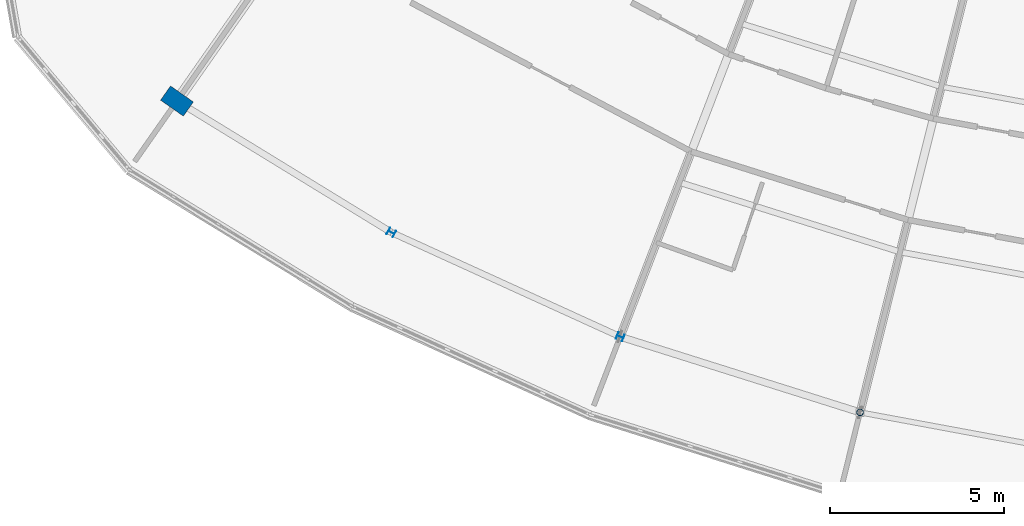
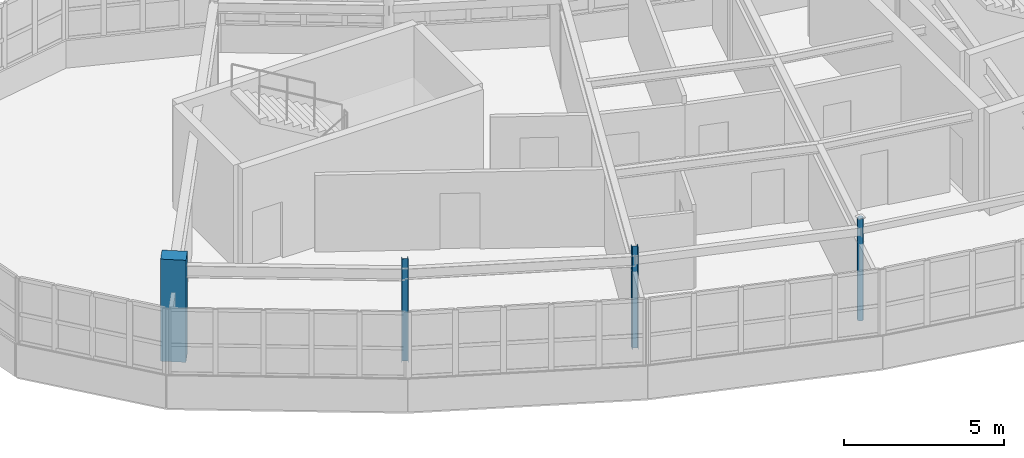
# One storey, part 1 of 79: 4 columns.
"""IFC4 building model written with IfcOpenShell, lengths in metres."""

import ifcopenshell
import ifcopenshell.guid

model = None  # the IFC model being written
_history = None  # IfcOwnerHistory: only IFC2X3 demands one
_inside = {}  # id of a spatial element -> (the spatial element, [elements in it])
_under = {}  # id of a project, library or spatial element -> (it, [spatial elements below it])
_declared = {}  # id of a project -> (the project, [libraries it declares])
_typed = {}  # id of a type object -> (the type object, [elements of that type])
_made_of = {}  # id of a material, layer set ... -> (it, [elements and type objects made of it])


def new_model(schema):
    """Start an empty IFC model of exactly this schema.

    Asked for "IFC4X3", IfcOpenShell would pick the latest addendum, in which some entities
    have other attributes; the version numbers below select the first issue.
    IFC2X3 requires an IfcOwnerHistory on every rooted entity: one is made here for all.
    """
    global model, _history
    if schema == "IFC4X3":
        model = ifcopenshell.file(schema_version=(4, 3, 0, 0))
    else:
        model = ifcopenshell.file(schema=schema)
    _inside.clear()
    _under.clear()
    _declared.clear()
    _typed.clear()
    _made_of.clear()
    _history = None
    if model.schema == "IFC2X3":
        org = make("IfcOrganization", Name="unknown")
        user = make(
            "IfcPersonAndOrganization",
            ThePerson=make("IfcPerson", FamilyName="unknown"),
            TheOrganization=org,
        )
        app = make(
            "IfcApplication",
            ApplicationDeveloper=org,
            Version="unknown",
            ApplicationFullName="unknown",
            ApplicationIdentifier="unknown",
        )
        _history = make(
            "IfcOwnerHistory",
            OwningUser=user,
            OwningApplication=app,
            ChangeAction="ADDED",
            CreationDate=0,
        )
    return model


def make(cls, **values):
    """One entity of the class cls with the attributes given. An attribute that is None is left unset."""
    return model.create_entity(
        cls, **{name: value for name, value in values.items() if value is not None}
    )


def rooted(cls, **values):
    """An entity with a GlobalId (a new one), such as an element, a storey or a relation."""
    return make(cls, GlobalId=ifcopenshell.guid.new(), OwnerHistory=_history, **values)


def si_unit(unit_type, name, prefix=None):
    """IfcSIUnit, for example si_unit("LENGTHUNIT", "METRE", prefix="MILLI")."""
    return make("IfcSIUnit", UnitType=unit_type, Prefix=prefix, Name=name)


def assignment(units):
    """IfcUnitAssignment: the units of a project."""
    return None if units is None else make("IfcUnitAssignment", Units=units)


def point(xyz):
    """IfcCartesianPoint."""
    return None if xyz is None else make("IfcCartesianPoint", Coordinates=xyz)


def direction(xyz):
    """IfcDirection."""
    return None if xyz is None else make("IfcDirection", DirectionRatios=xyz)


def frame(location, z_axis=None, x_axis=None):
    """IfcAxis2Placement3D, a coordinate frame: its origin and axes. An axis left out is left unset."""
    return make(
        "IfcAxis2Placement3D",
        Location=point(location),
        Axis=direction(z_axis),
        RefDirection=direction(x_axis),
    )


def frame_2d(location, x_axis=None):
    """IfcAxis2Placement2D, a coordinate frame in the plane: its origin and x axis."""
    return make(
        "IfcAxis2Placement2D", Location=point(location), RefDirection=direction(x_axis)
    )


def origin():
    """The frame at (0, 0, 0) with its axes left unset."""
    return frame((0.0, 0.0, 0.0))


def origin_2d():
    """The frame at (0, 0) in the plane with its x axis left unset."""
    return frame_2d((0.0, 0.0))


def place(relative_to, where):
    """IfcLocalPlacement: puts the frame where relative to a parent placement (None: the world)."""
    return make(
        "IfcLocalPlacement", PlacementRelTo=relative_to, RelativePlacement=where
    )


def context(
    kind, dimensions, precision=None, world=None, true_north=None, identifier=None
):
    """IfcGeometricRepresentationContext, for example the 3D "Model" context."""
    return make(
        "IfcGeometricRepresentationContext",
        ContextIdentifier=identifier,
        ContextType=kind,
        CoordinateSpaceDimension=dimensions,
        Precision=precision,
        WorldCoordinateSystem=world,
        TrueNorth=true_north,
    )


def subcontext(parent, identifier, kind, view, scale=None):
    """IfcGeometricRepresentationSubContext, for example "Body" below "Model"."""
    return make(
        "IfcGeometricRepresentationSubContext",
        ContextIdentifier=identifier,
        ContextType=kind,
        ParentContext=parent,
        TargetScale=scale,
        TargetView=view,
    )


def project(units=None, contexts=None):
    """IfcProject with its units and contexts."""
    return rooted(
        "IfcProject",
        Name="project",
        RepresentationContexts=contexts,
        UnitsInContext=assignment(units),
    )


def spatial(cls, under=None, at=None, **own):
    """A site, building, storey or space (cls), placed at a placement, below another one or the project."""
    s = rooted(cls, ObjectPlacement=at, **own)
    if under is not None:
        _under.setdefault(under.id(), (under, []))[1].append(s)
    return s


def profile(cls, at=None, kind="AREA", **sizes):
    """A parametric profile (cls). Its sizes go by their IFC names, for example OverallWidth=200.0."""
    return make(cls, ProfileType=kind, Position=at, **sizes)


def rectangle(**sizes):
    """IfcRectangleProfileDef."""
    return profile("IfcRectangleProfileDef", **sizes)


def hollow_circle(**sizes):
    """IfcCircleHollowProfileDef."""
    return profile("IfcCircleHollowProfileDef", **sizes)


def i_section(**sizes):
    """IfcIShapeProfileDef."""
    return profile("IfcIShapeProfileDef", **sizes)


def extrude(swept, where, along, depth):
    """IfcExtrudedAreaSolid: the profile swept, set in the frame where, extruded along a direction by depth."""
    return make(
        "IfcExtrudedAreaSolid",
        SweptArea=swept,
        Position=where,
        ExtrudedDirection=direction(along),
        Depth=depth,
    )


def shape(context_of_items, identifier, shape_type, items):
    """IfcShapeRepresentation: the items that make up one representation, for example the "Body"."""
    return make(
        "IfcShapeRepresentation",
        ContextOfItems=context_of_items,
        RepresentationIdentifier=identifier,
        RepresentationType=shape_type,
        Items=items,
    )


def material(Name=None, Category=None):
    """IfcMaterial."""
    return make("IfcMaterial", Name=Name, Category=Category)


def material_profile(
    of_material, cross_section, Name=None, Category=None, Priority=None
):
    """IfcMaterialProfile: a cross section and its material."""
    return make(
        "IfcMaterialProfile",
        Name=Name,
        Material=of_material,
        Profile=cross_section,
        Priority=Priority,
        Category=Category,
    )


def profile_set(profiles, Name=None, composite=None):
    """IfcMaterialProfileSet."""
    return make(
        "IfcMaterialProfileSet",
        Name=Name,
        MaterialProfiles=profiles,
        CompositeProfile=composite,
    )


def made_of(thing, what):
    """Note that an element or type object is made of a material, layer set ...; save() writes the relation."""
    if what is not None:
        _made_of.setdefault(what.id(), (what, []))[1].append(thing)
    return thing


def type_object(cls, material=None, **own):
    """A type object (cls), such as IfcWallType, which elements share."""
    return made_of(rooted(cls, **own), material)


def element(
    cls,
    number,
    at=None,
    inside=None,
    cuts=None,
    type_object=None,
    material=None,
    context=None,
    identifier="Body",
    shape_type=None,
    held_by="IfcProductDefinitionShape",
    body=None,
    shapes=None,
    **own,
):
    """One element of the class cls, such as IfcWall. Its Tag is "e" and its number.

    at: its placement. inside: the storey or other place that contains it. cuts: it is an
    opening in that element (IfcRelVoidsElement). A single representation is given by context,
    identifier, shape_type and body (its items); several are given by shapes. held_by: the class
    of the entity that holds the representations. save() writes the other relations.
    """
    e = rooted(cls, Tag="e%d" % number, ObjectPlacement=at, **own)
    if body is not None:
        shapes = [shape(context, identifier, shape_type, body)]
    if shapes is not None:
        e.Representation = make(held_by, Representations=shapes)
    if inside is not None:
        _inside.setdefault(inside.id(), (inside, []))[1].append(e)
    if cuts is not None:
        rooted(
            "IfcRelVoidsElement", RelatingBuildingElement=cuts, RelatedOpeningElement=e
        )
    if type_object is not None:
        _typed.setdefault(type_object.id(), (type_object, []))[1].append(e)
    return made_of(e, material)


def aggregate(whole, parts):
    """IfcRelAggregates: a whole, such as a stair, and the parts it consists of."""
    return rooted("IfcRelAggregates", RelatingObject=whole, RelatedObjects=parts)


def save(model, path):
    """Write the relations noted so far, then the file.

    IfcRelAggregates (storeys below a building ...), IfcRelContainedInSpatialStructure (elements
    in a storey), IfcRelDefinesByType, IfcRelAssociatesMaterial and IfcRelDeclares: one each for
    every whole, place, type object, material and project.
    """
    for whole, parts in _under.values():
        aggregate(whole, parts)
    for where, things in _inside.values():
        rooted(
            "IfcRelContainedInSpatialStructure",
            RelatedElements=things,
            RelatingStructure=where,
        )
    for kind, things in _typed.values():
        rooted("IfcRelDefinesByType", RelatedObjects=things, RelatingType=kind)
    for what, things in _made_of.values():
        rooted("IfcRelAssociatesMaterial", RelatedObjects=things, RelatingMaterial=what)
    for by, libraries in _declared.values():
        rooted("IfcRelDeclares", RelatingContext=by, RelatedDefinitions=libraries)
    model.write(path)


model = new_model("IFC4")

# Units and contexts
model_context = context("Model", 3, precision=1e-05, world=origin(), true_north=direction((0.0, 1.0)))
body_context = subcontext(model_context, "Body", "Model", "MODEL_VIEW")
ifc_project = project(units=[si_unit("LENGTHUNIT", "METRE"), si_unit("AREAUNIT", "SQUARE_METRE"), si_unit("VOLUMEUNIT", "CUBIC_METRE"), si_unit("PLANEANGLEUNIT", "RADIAN"), si_unit("MASSUNIT", "GRAM", prefix="KILO")], contexts=[model_context])

# Site, building, storey
site_placement = place(None, origin())
site = spatial("IfcSite", under=ifc_project, at=site_placement, CompositionType="ELEMENT")
building_placement = place(site_placement, origin())
building = spatial("IfcBuilding", under=site, at=building_placement, Name="Tarnwether General Hospital", CompositionType="ELEMENT")
storey_placement = place(building_placement, frame((0.0, 0.0, 18.300048828125)))
storey = spatial("IfcBuildingStorey", under=building, at=storey_placement, Name="L04", CompositionType="ELEMENT", Elevation=18.300048828125)

# Columns
ifc_material_1 = material(Name="Concrete 50 MPa", Category="concrete")
ifc_material_profile_1 = material_profile(ifc_material_1, rectangle(XDim=0.5, YDim=0.800048828125, at=origin_2d()), Name="RC-PIL-500x800")
ifc_profile_set_1 = profile_set([ifc_material_profile_1], Name="Concrete 50 MPa")
column_type_1 = type_object("IfcColumnType", Name="COL-23", PredefinedType="PILASTER", material=ifc_profile_set_1)
column_1_placement = place(storey_placement, frame((58.0439453125, 14.506103515625, 0.0), z_axis=(0.0, 0.0, 1.0), x_axis=(0.573576436351, 0.819152044289, 0.0)))
element("IfcColumn", 1, at=column_1_placement, inside=storey, type_object=column_type_1, Name="Column COLG-L04-5804_1451", PredefinedType="PILASTER", context=body_context, shape_type="SweptSolid", body=[
    extrude(rectangle(XDim=0.5, YDim=0.800048828125, at=origin_2d()), origin(), (0.0, 0.0, 1.0), 3.89990234375),
])
ifc_material_2 = material(Name="Steel Grade 350 (350 MPa)", Category="steel")
ifc_material_profile_2 = material_profile(ifc_material_2, i_section(OverallWidth=0.205078125, OverallDepth=0.2099609375, WebThickness=0.00927734375, FlangeThickness=0.01416015625, at=origin_2d()), Name="200UC59.5")
ifc_profile_set_2 = profile_set([ifc_material_profile_2], Name="Steel Grade 350 (350 MPa)")
column_type_2 = type_object("IfcColumnType", Name="COL-25", PredefinedType="COLUMN", material=ifc_profile_set_2)
column_2_placement = place(storey_placement, frame((64.20703125, 10.72998046875, 0.0), z_axis=(0.0, 0.0, 1.0), x_axis=(0.469471562786, 0.882947592859, 0.0)))
element("IfcColumn", 2, at=column_2_placement, inside=storey, type_object=column_type_2, Name="Column COLG-L04-6421_1073", PredefinedType="COLUMN", context=body_context, shape_type="SweptSolid", body=[
    extrude(i_section(OverallWidth=0.205078125, OverallDepth=0.2099609375, WebThickness=0.00927734375, FlangeThickness=0.01416015625, at=origin_2d()), origin(), (0.0, 0.0, 1.0), 3.89990234375),
])
ifc_material_3 = material(Name="Steel Grade 350 (350 MPa)", Category="steel")
ifc_material_profile_3 = material_profile(ifc_material_3, i_section(OverallWidth=0.202880859375, OverallDepth=0.202880859375, WebThickness=0.00732421875, FlangeThickness=0.010986328125, at=origin_2d()), Name="200UC46.2")
ifc_profile_set_3 = profile_set([ifc_material_profile_3], Name="Steel Grade 350 (350 MPa)")
column_type_3 = type_object("IfcColumnType", Name="COL-27", PredefinedType="COLUMN", material=ifc_profile_set_3)
column_3_placement = place(storey_placement, frame((70.784912109375, 7.73193359375, 0.0), z_axis=(0.0, 0.0, 1.0), x_axis=(0.358367949545, 0.933580426497, 0.0)))
element("IfcColumn", 3, at=column_3_placement, inside=storey, type_object=column_type_3, Name="Column COLG-L04-7078_773", PredefinedType="COLUMN", context=body_context, shape_type="SweptSolid", body=[
    extrude(i_section(OverallWidth=0.202880859375, OverallDepth=0.202880859375, WebThickness=0.00732421875, FlangeThickness=0.010986328125, at=origin_2d()), origin(), (0.0, 0.0, 1.0), 3.89990234375),
])
ifc_material_4 = material(Name="Steel Grade C350L0 (350 MPa)", Category="steel")
ifc_material_profile_4 = material_profile(ifc_material_4, hollow_circle(Radius=0.096923828125, WallThickness=0.008056640625, at=origin_2d()), Name="CHS193.7x8.0")
ifc_profile_set_4 = profile_set([ifc_material_profile_4], Name="Steel Grade C350L0 (350 MPa)")
column_type_4 = type_object("IfcColumnType", Name="COL-29", PredefinedType="COLUMN", material=ifc_profile_set_4)
column_4_placement = place(storey_placement, frame((77.677978515625, 5.55810546875, 0.0), z_axis=(0.0, 0.0, 1.0), x_axis=(0.2419218956, 0.970295726276, 0.0)))
element("IfcColumn", 4, at=column_4_placement, inside=storey, type_object=column_type_4, Name="Column COLG-L04-7768_556", PredefinedType="COLUMN", context=body_context, shape_type="SweptSolid", body=[
    extrude(hollow_circle(Radius=0.096923828125, WallThickness=0.008056640625, at=origin_2d()), origin(), (0.0, 0.0, 1.0), 3.89990234375),
])

save(model, "model.ifc")
